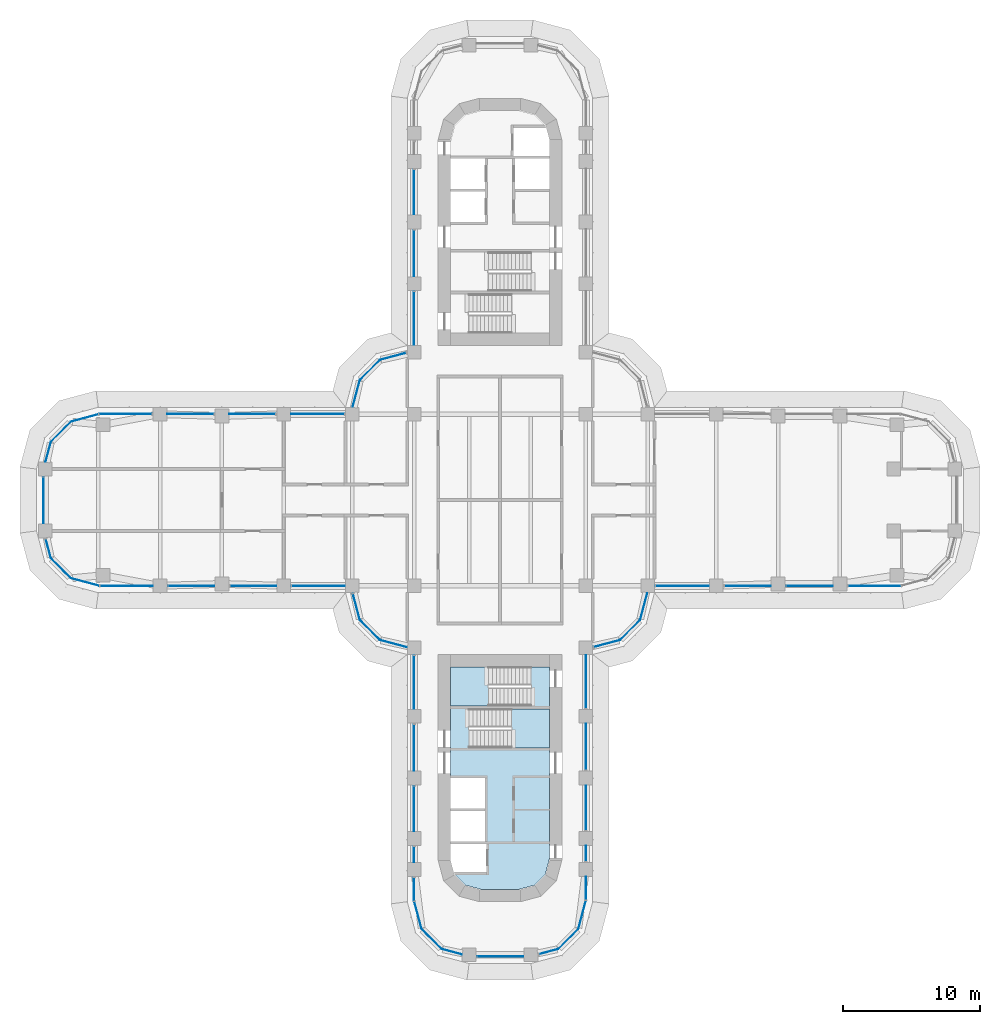
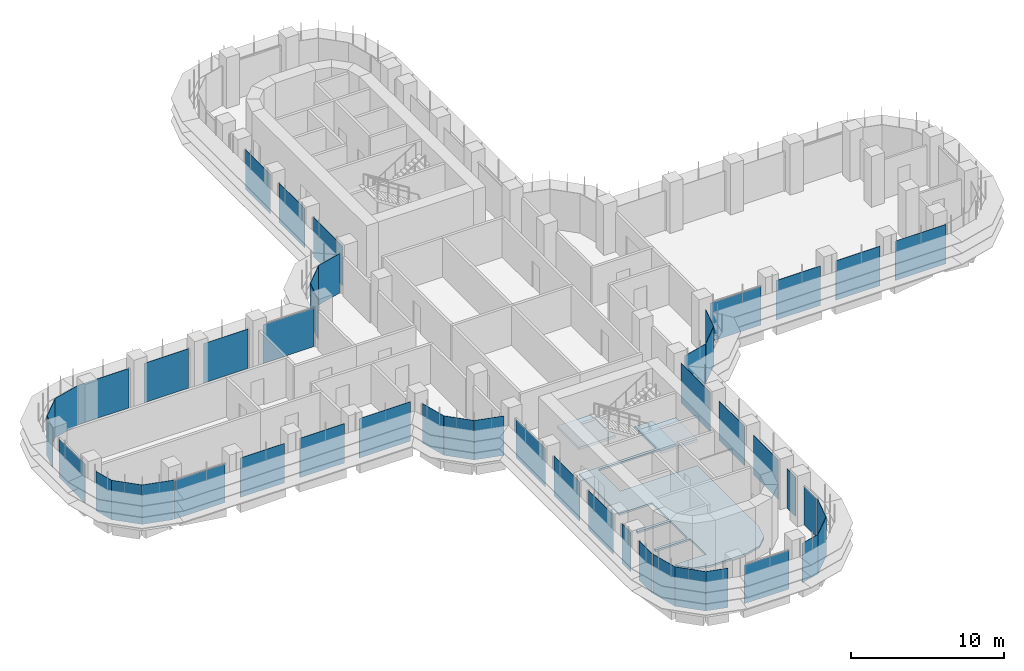
# One storey, part 13 of 23: 48 plates, 3 slabs, 31 elements without a shape of their own.
"""IFC4 building model written with IfcOpenShell, lengths in metres."""

from ifc_helpers import new_model, si_unit, direction, frame, origin, place, context, subcontext, project, spatial, polyline, outline, extrude, source, transform, mapped, material, layer, layer_set, type_object, element, aggregate, save


model = new_model("IFC4")

# Units and contexts
model_context = context("Model", 3, precision=1e-05, world=origin(), true_north=direction((0.0, 1.0)))
body_context = subcontext(model_context, "Body", "Model", "MODEL_VIEW")
ifc_project = project(units=[si_unit("LENGTHUNIT", "METRE"), si_unit("AREAUNIT", "SQUARE_METRE"), si_unit("VOLUMEUNIT", "CUBIC_METRE"), si_unit("PLANEANGLEUNIT", "RADIAN"), si_unit("MASSUNIT", "GRAM", prefix="KILO")], contexts=[model_context])

# Site, building, storey
site_placement = place(None, origin())
site = spatial("IfcSite", under=ifc_project, at=site_placement, CompositionType="ELEMENT")
building_placement = place(site_placement, origin())
building = spatial("IfcBuilding", under=site, at=building_placement, Name="Zarbagh Exchange Tower", CompositionType="ELEMENT")
storey_placement = place(building_placement, frame((0.0, 0.0, 64.800048828125)))
storey = spatial("IfcBuildingStorey", under=building, at=storey_placement, Name="L14", CompositionType="ELEMENT", Elevation=64.800048828125)

# Slab
ifc_material_1 = material(Name="Concrete C40/50", Category="concrete")
ifc_layer_1 = layer(ifc_material_1, 0.14990234375)
ifc_layer_set_1 = layer_set([ifc_layer_1], Name="Core floor slab 150 C40/50")
slab_type_1 = type_object("IfcSlabType", Name="Core floor slab 150 C40/50", PredefinedType="FLOOR", material=ifc_layer_set_1)
slab_1_placement = place(storey_placement, frame((0.0, 0.0, -0.150146484375)))
element("IfcSlab", 1, at=slab_1_placement, inside=storey, type_object=slab_type_1, Name="S17 core S", PredefinedType="FLOOR", context=body_context, shape_type="SweptSolid", body=[
    extrude(outline(polyline([(-2.5341796875, -28.041259765625), (-3.291259765625, -27.2841796875), (-3.340576171875, -27.10009765625), (-1.0, -27.10009765625), (-1.0, -25.050048828125), (-3.60009765625, -25.050048828125), (-3.60009765625, -24.85009765625), (-1.10009765625, -24.85009765625), (-1.10009765625, -22.64990234375), (-3.60009765625, -22.64990234375), (-3.60009765625, -22.449951171875), (-1.10009765625, -22.449951171875), (-1.10009765625, -20.25), (-3.60009765625, -20.25), (-3.60009765625, -15.0), (2.25, -15.0), (2.25, -12.14990234375), (3.60009765625, -12.14990234375), (3.60009765625, -15.199951171875), (-2.25, -15.199951171875), (-2.25, -18.050048828125), (3.60009765625, -18.050048828125), (3.60009765625, -26.131591796875), (3.291259765625, -27.2841796875), (2.5341796875, -28.041259765625), (1.381591796875, -28.35009765625), (-1.381591796875, -28.35009765625), (-2.5341796875, -28.041259765625)])), origin(), (0.0, 0.0, 1.0), 0.150146484375),
])

# Stair, slab
stair_type = type_object("IfcStairType", Name="Exit stair two-flight half-turn", PredefinedType="HALF_TURN_STAIR", material=ifc_material_1)
stair_1_placement = place(storey_placement, origin())
stair_1 = element("IfcStair", 2, at=stair_1_placement, inside=storey, type_object=stair_type, Name="exit stair ST3", PredefinedType="HALF_TURN_STAIR")
ifc_layer_2 = layer(ifc_material_1, 0.199951171875)
ifc_layer_set_2 = layer_set([ifc_layer_2], Name="Stair landing 200 mm")
slab_type_2 = type_object("IfcSlabType", Name="Stair landing 200 mm", PredefinedType="LANDING", material=ifc_layer_set_2)
slab_2_placement = place(storey_placement, frame((0.0, 0.0, 1.89990234375)))
slab_2 = element("IfcSlab", 3, at=slab_2_placement, type_object=slab_type_2, Name="ST3 landing 1", PredefinedType="LANDING", context=body_context, shape_type="SweptSolid", body=[
    extrude(outline(polyline([(0.830078125, -18.050048828125), (3.60009765625, -18.050048828125), (3.60009765625, -15.199951171875), (0.830078125, -15.199951171875), (0.830078125, -18.050048828125)])), origin(), (0.0, 0.0, 1.0), 0.199951171875),
])
aggregate(stair_1, [slab_2])

stair_2_placement = place(storey_placement, origin())
stair_2 = element("IfcStair", 4, at=stair_2_placement, inside=storey, type_object=stair_type, Name="exit stair ST4", PredefinedType="HALF_TURN_STAIR")
slab_3_placement = place(storey_placement, frame((0.0, 0.0, 1.89990234375)))
slab_3 = element("IfcSlab", 5, at=slab_3_placement, type_object=slab_type_2, Name="ST4 landing 1", PredefinedType="LANDING", context=body_context, shape_type="SweptSolid", body=[
    extrude(outline(polyline([(-0.830078125, -12.14990234375), (-3.60009765625, -12.14990234375), (-3.60009765625, -15.0), (-0.830078125, -15.0), (-0.830078125, -12.14990234375)])), origin(), (0.0, 0.0, 1.0), 0.199951171875),
])
aggregate(stair_2, [slab_3])

# Curtain wall, plate
ifc_material_2 = material(Name="Anodised aluminium frame and glazing", Category="aluminium")
curtain_wall_type = type_object("IfcCurtainWallType", Name="CWA Ribbon glazing, lower zones", PredefinedType="NOTDEFINED", material=ifc_material_2)
curtain_wall_1_placement = place(storey_placement, origin())
curtain_wall_1 = element("IfcCurtainWall", 6, at=curtain_wall_1_placement, inside=storey, type_object=curtain_wall_type, Name="CWA01 curtain wall", PredefinedType="NOTDEFINED")
ifc_material_3 = material(Name="Low-e double glazed unit, 6+12+6 mm")
ifc_layer_3 = layer(ifc_material_3, 0.028076171875)
ifc_layer_set_3 = layer_set([ifc_layer_3], Name="PAA Glazing panel, Low-e double glazed unit, 6+12+6 mm")
plate_type = type_object("IfcPlateType", Name="PAA Glazing panel, Low-e double glazed unit, 6+12+6 mm", PredefinedType="CURTAIN_PANEL", material=ifc_layer_set_3)
shared_shape_1 = source(origin(), body_context, "Body", "SweptSolid", [
    extrude(outline(polyline([(0.0, -0.013916015625), (1.4423828125, -0.013916015625), (1.4423828125, 0.013916015625), (0.0, 0.013916015625), (0.0, -0.013916015625)])), origin(), (0.0, 0.0, 1.0), 3.14990234375),
])
placement = place(storey_placement, origin())
plate_1 = element("IfcPlate", 7, at=placement, type_object=plate_type, Name="CWA01 glazing panel 1.1", PredefinedType="CURTAIN_PANEL", context=body_context, shape_type="MappedRepresentation", body=[
    mapped(shared_shape_1, transform((2.847900390625, -33.072021484375, 0.0), x_axis=(0.965924289636, 0.258824779902, 0.0), y_axis=(-0.258824779902, 0.965924289636, 0.0), z_axis=(0.0, 0.0, 1.0))),
])
aggregate(curtain_wall_1, [plate_1])

curtain_wall_2_placement = place(storey_placement, origin())
curtain_wall_2 = element("IfcCurtainWall", 8, at=curtain_wall_2_placement, inside=storey, type_object=curtain_wall_type, Name="CWA37 curtain wall", PredefinedType="NOTDEFINED")
plate_2 = element("IfcPlate", 9, at=placement, type_object=plate_type, Name="CWA37 glazing panel 1.1", PredefinedType="CURTAIN_PANEL", context=body_context, shape_type="MappedRepresentation", body=[
    mapped(shared_shape_1, transform((-33.072021484375, -2.847900390625, 0.0), x_axis=(0.258824779902, -0.965924289636, 0.0), y_axis=(0.965924289636, 0.258824779902, 0.0), z_axis=(0.0, 0.0, 1.0))),
])
aggregate(curtain_wall_2, [plate_2])

curtain_wall_3_placement = place(storey_placement, origin())
curtain_wall_3 = element("IfcCurtainWall", 10, at=curtain_wall_3_placement, inside=storey, type_object=curtain_wall_type, Name="CWA02 curtain wall", PredefinedType="NOTDEFINED")
shared_shape_2 = source(origin(), body_context, "Body", "SweptSolid", [
    extrude(outline(polyline([(0.0, -0.013916015625), (2.061279296875, -0.013916015625), (2.061279296875, 0.013916015625), (0.0, 0.013916015625), (0.0, -0.013916015625)])), origin(), (0.0, 0.0, 1.0), 3.14990234375),
])
plate_3 = element("IfcPlate", 11, at=placement, type_object=plate_type, Name="CWA02 glazing panel 1.1", PredefinedType="CURTAIN_PANEL", context=body_context, shape_type="MappedRepresentation", body=[
    mapped(shared_shape_2, transform((4.2412109375, -32.69873046875, 0.0), x_axis=(0.707106781187, 0.707106781187, 0.0), y_axis=(-0.707106781187, 0.707106781187, 0.0), z_axis=(0.0, 0.0, 1.0))),
])
aggregate(curtain_wall_3, [plate_3])

curtain_wall_4_placement = place(storey_placement, origin())
curtain_wall_4 = element("IfcCurtainWall", 12, at=curtain_wall_4_placement, inside=storey, type_object=curtain_wall_type, Name="CWA06 curtain wall", PredefinedType="NOTDEFINED")
plate_4 = element("IfcPlate", 13, at=placement, type_object=plate_type, Name="CWA06 glazing panel 1.1", PredefinedType="CURTAIN_PANEL", context=body_context, shape_type="MappedRepresentation", body=[
    mapped(shared_shape_2, transform((8.7412109375, -10.19873046875, 0.0), x_axis=(0.707106781187, 0.707106781187, 0.0), y_axis=(-0.707106781187, 0.707106781187, 0.0), z_axis=(0.0, 0.0, 1.0))),
])
aggregate(curtain_wall_4, [plate_4])

curtain_wall_5_placement = place(storey_placement, origin())
curtain_wall_5 = element("IfcCurtainWall", 14, at=curtain_wall_5_placement, inside=storey, type_object=curtain_wall_type, Name="CWA30 curtain wall", PredefinedType="NOTDEFINED")
plate_5 = element("IfcPlate", 15, at=placement, type_object=plate_type, Name="CWA30 glazing panel 1.1", PredefinedType="CURTAIN_PANEL", context=body_context, shape_type="MappedRepresentation", body=[
    mapped(shared_shape_2, transform((-8.7412109375, 10.19873046875, 0.0), x_axis=(-0.707106781187, -0.707106781187, 0.0), y_axis=(0.707106781187, -0.707106781187, 0.0), z_axis=(0.0, 0.0, 1.0))),
])
aggregate(curtain_wall_5, [plate_5])

curtain_wall_6_placement = place(storey_placement, origin())
curtain_wall_6 = element("IfcCurtainWall", 16, at=curtain_wall_6_placement, inside=storey, type_object=curtain_wall_type, Name="CWA34 curtain wall", PredefinedType="NOTDEFINED")
plate_6 = element("IfcPlate", 17, at=placement, type_object=plate_type, Name="CWA34 glazing panel 1.1", PredefinedType="CURTAIN_PANEL", context=body_context, shape_type="MappedRepresentation", body=[
    mapped(shared_shape_2, transform((-31.2412109375, 5.69873046875, 0.0), x_axis=(-0.707106781187, -0.707106781187, 0.0), y_axis=(0.707106781187, -0.707106781187, 0.0), z_axis=(0.0, 0.0, 1.0))),
])
aggregate(curtain_wall_6, [plate_6])

curtain_wall_7_placement = place(storey_placement, origin())
curtain_wall_7 = element("IfcCurtainWall", 18, at=curtain_wall_7_placement, inside=storey, type_object=curtain_wall_type, Name="CWA38 curtain wall", PredefinedType="NOTDEFINED")
plate_7 = element("IfcPlate", 19, at=placement, type_object=plate_type, Name="CWA38 glazing panel 1.1", PredefinedType="CURTAIN_PANEL", context=body_context, shape_type="MappedRepresentation", body=[
    mapped(shared_shape_2, transform((-32.69873046875, -4.2412109375, 0.0), x_axis=(0.707106781187, -0.707106781187, 0.0), y_axis=(0.707106781187, 0.707106781187, 0.0), z_axis=(0.0, 0.0, 1.0))),
])
aggregate(curtain_wall_7, [plate_7])

curtain_wall_8_placement = place(storey_placement, origin())
curtain_wall_8 = element("IfcCurtainWall", 20, at=curtain_wall_8_placement, inside=storey, type_object=curtain_wall_type, Name="CWA42 curtain wall", PredefinedType="NOTDEFINED")
plate_8 = element("IfcPlate", 21, at=placement, type_object=plate_type, Name="CWA42 glazing panel 1.1", PredefinedType="CURTAIN_PANEL", context=body_context, shape_type="MappedRepresentation", body=[
    mapped(shared_shape_2, transform((-10.19873046875, -8.7412109375, 0.0), x_axis=(0.707106781187, -0.707106781187, 0.0), y_axis=(0.707106781187, 0.707106781187, 0.0), z_axis=(0.0, 0.0, 1.0))),
])
aggregate(curtain_wall_8, [plate_8])

curtain_wall_9_placement = place(storey_placement, origin())
curtain_wall_9 = element("IfcCurtainWall", 22, at=curtain_wall_9_placement, inside=storey, type_object=curtain_wall_type, Name="CWA46 curtain wall", PredefinedType="NOTDEFINED")
plate_9 = element("IfcPlate", 23, at=placement, type_object=plate_type, Name="CWA46 glazing panel 1.1", PredefinedType="CURTAIN_PANEL", context=body_context, shape_type="MappedRepresentation", body=[
    mapped(shared_shape_2, transform((-5.69873046875, -31.2412109375, 0.0), x_axis=(0.707106781187, -0.707106781187, 0.0), y_axis=(0.707106781187, 0.707106781187, 0.0), z_axis=(0.0, 0.0, 1.0))),
])
aggregate(curtain_wall_9, [plate_9])

curtain_wall_10_placement = place(storey_placement, origin())
curtain_wall_10 = element("IfcCurtainWall", 24, at=curtain_wall_10_placement, inside=storey, type_object=curtain_wall_type, Name="CWA03 curtain wall", PredefinedType="NOTDEFINED")
shared_shape_3 = source(origin(), body_context, "Body", "SweptSolid", [
    extrude(outline(polyline([(0.0, -0.013916015625), (2.129638671875, -0.013916015625), (2.129638671875, 0.013916015625), (0.0, 0.013916015625), (0.0, -0.013916015625)])), origin(), (0.0, 0.0, 1.0), 3.14990234375),
])
plate_10 = element("IfcPlate", 25, at=placement, type_object=plate_type, Name="CWA03 glazing panel 1.1", PredefinedType="CURTAIN_PANEL", context=body_context, shape_type="MappedRepresentation", body=[
    mapped(shared_shape_3, transform((5.69873046875, -31.2412109375, 0.0), x_axis=(0.258824779902, 0.965924289636, 0.0), y_axis=(-0.965924289636, 0.258824779902, 0.0), z_axis=(0.0, 0.0, 1.0))),
])
aggregate(curtain_wall_10, [plate_10])

curtain_wall_11_placement = place(storey_placement, origin())
curtain_wall_11 = element("IfcCurtainWall", 26, at=curtain_wall_11_placement, inside=storey, type_object=curtain_wall_type, Name="CWA39 curtain wall", PredefinedType="NOTDEFINED")
plate_11 = element("IfcPlate", 27, at=placement, type_object=plate_type, Name="CWA39 glazing panel 1.1", PredefinedType="CURTAIN_PANEL", context=body_context, shape_type="MappedRepresentation", body=[
    mapped(shared_shape_3, transform((-31.2412109375, -5.69873046875, 0.0), x_axis=(0.965924289636, -0.258824779902, 0.0), y_axis=(0.258824779902, 0.965924289636, 0.0), z_axis=(0.0, 0.0, 1.0))),
])
aggregate(curtain_wall_11, [plate_11])

# Curtain wall, plates
curtain_wall_12_placement = place(storey_placement, origin())
curtain_wall_12 = element("IfcCurtainWall", 28, at=curtain_wall_12_placement, inside=storey, type_object=curtain_wall_type, Name="CWA04 curtain wall", PredefinedType="NOTDEFINED")
shared_shape_4 = source(origin(), body_context, "Body", "SweptSolid", [
    extrude(outline(polyline([(0.0, -0.013916015625), (1.68408203125, -0.013916015625), (1.68408203125, 0.013916015625), (0.0, 0.013916015625), (0.0, -0.013916015625)])), origin(), (0.0, 0.0, 1.0), 3.090087890625),
])
plate_12 = element("IfcPlate", 29, at=placement, type_object=plate_type, Name="CWA04 glazing panel 1.1", PredefinedType="CURTAIN_PANEL", context=body_context, shape_type="MappedRepresentation", body=[
    mapped(shared_shape_4, transform((6.25, -29.124267578125, 0.0), x_axis=(0.0, 1.0, 0.0), y_axis=(-1.0, 0.0, 0.0), z_axis=(0.0, 0.0, 1.0))),
])
shared_shape_5 = source(origin(), body_context, "Body", "SweptSolid", [
    extrude(outline(polyline([(0.0, -0.013916015625), (1.110107421875, -0.013916015625), (1.110107421875, 0.013916015625), (0.0, 0.013916015625), (0.0, -0.013916015625)])), origin(), (0.0, 0.0, 1.0), 3.14990234375),
])
plate_13 = element("IfcPlate", 30, at=placement, type_object=plate_type, Name="CWA04 glazing panel 2.1", PredefinedType="CURTAIN_PANEL", context=body_context, shape_type="MappedRepresentation", body=[
    mapped(shared_shape_5, transform((6.25, -26.300048828125, 0.0), x_axis=(0.0, 1.0, 0.0), y_axis=(-1.0, 0.0, 0.0), z_axis=(0.0, 0.0, 1.0))),
])

# Curtain wall, plate
curtain_wall_13_placement = place(storey_placement, origin())
curtain_wall_13 = element("IfcCurtainWall", 31, at=curtain_wall_13_placement, inside=storey, type_object=curtain_wall_type, Name="CWA44 curtain wall", PredefinedType="NOTDEFINED")
plate_14 = element("IfcPlate", 32, at=placement, type_object=plate_type, Name="CWA44 glazing panel 4.1", PredefinedType="CURTAIN_PANEL", context=body_context, shape_type="MappedRepresentation", body=[
    mapped(shared_shape_5, transform((-6.25, -25.25, 0.0), x_axis=(0.0, -1.0, 0.0), y_axis=(1.0, 0.0, 0.0), z_axis=(0.0, 0.0, 1.0))),
])

# Plate
shared_shape_6 = source(origin(), body_context, "Body", "SweptSolid", [
    extrude(outline(polyline([(0.0, -0.013916015625), (3.260009765625, -0.013916015625), (3.260009765625, 0.013916015625), (0.0, 0.013916015625), (0.0, -0.013916015625)])), origin(), (0.0, 0.0, 1.0), 3.14990234375),
])
plate_15 = element("IfcPlate", 33, at=placement, type_object=plate_type, Name="CWA04 glazing panel 3.1", PredefinedType="CURTAIN_PANEL", context=body_context, shape_type="MappedRepresentation", body=[
    mapped(shared_shape_6, transform((6.25, -24.050048828125, 0.0), x_axis=(0.0, 1.0, 0.0), y_axis=(-1.0, 0.0, 0.0), z_axis=(0.0, 0.0, 1.0))),
])

# Curtain wall, plate
curtain_wall_14_placement = place(storey_placement, origin())
curtain_wall_14 = element("IfcCurtainWall", 34, at=curtain_wall_14_placement, inside=storey, type_object=curtain_wall_type, Name="CWA28 curtain wall", PredefinedType="NOTDEFINED")
plate_16 = element("IfcPlate", 35, at=placement, type_object=plate_type, Name="CWA28 glazing panel 3.1", PredefinedType="CURTAIN_PANEL", context=body_context, shape_type="MappedRepresentation", body=[
    mapped(shared_shape_6, transform((-6.25, 24.050048828125, 0.0), x_axis=(0.0, -1.0, 0.0), y_axis=(1.0, 0.0, 0.0), z_axis=(0.0, 0.0, 1.0))),
])

# Plate
plate_17 = element("IfcPlate", 36, at=placement, type_object=plate_type, Name="CWA44 glazing panel 3.1", PredefinedType="CURTAIN_PANEL", context=body_context, shape_type="MappedRepresentation", body=[
    mapped(shared_shape_6, transform((-6.25, -20.85009765625, 0.0), x_axis=(0.0, -1.0, 0.0), y_axis=(1.0, 0.0, 0.0), z_axis=(0.0, 0.0, 1.0))),
])

shared_shape_7 = source(origin(), body_context, "Body", "SweptSolid", [
    extrude(outline(polyline([(0.0, -0.013916015625), (3.360107421875, -0.013916015625), (3.360107421875, 0.013916015625), (0.0, 0.013916015625), (0.0, -0.013916015625)])), origin(), (0.0, 0.0, 1.0), 3.14990234375),
])
plate_18 = element("IfcPlate", 37, at=placement, type_object=plate_type, Name="CWA04 glazing panel 4.1", PredefinedType="CURTAIN_PANEL", context=body_context, shape_type="MappedRepresentation", body=[
    mapped(shared_shape_7, transform((6.25, -19.64990234375, 0.0), x_axis=(0.0, 1.0, 0.0), y_axis=(-1.0, 0.0, 0.0), z_axis=(0.0, 0.0, 1.0))),
])

# Curtain wall, plates
curtain_wall_15_placement = place(storey_placement, origin())
curtain_wall_15 = element("IfcCurtainWall", 38, at=curtain_wall_15_placement, inside=storey, type_object=curtain_wall_type, Name="CWA08 curtain wall", PredefinedType="NOTDEFINED")
plate_19 = element("IfcPlate", 39, at=placement, type_object=plate_type, Name="CWA08 glazing panel 2.1", PredefinedType="CURTAIN_PANEL", context=body_context, shape_type="MappedRepresentation", body=[
    mapped(shared_shape_7, transform((16.35009765625, -6.25, 0.0), x_axis=(1.0, 0.0, 0.0), y_axis=(0.0, 1.0, 0.0), z_axis=(0.0, 0.0, 1.0))),
])
plate_20 = element("IfcPlate", 40, at=placement, type_object=plate_type, Name="CWA08 glazing panel 3.1", PredefinedType="CURTAIN_PANEL", context=body_context, shape_type="MappedRepresentation", body=[
    mapped(shared_shape_7, transform((20.85009765625, -6.25, 0.0), x_axis=(1.0, 0.0, 0.0), y_axis=(0.0, 1.0, 0.0), z_axis=(0.0, 0.0, 1.0))),
])

# Plate
plate_21 = element("IfcPlate", 41, at=placement, type_object=plate_type, Name="CWA28 glazing panel 4.1", PredefinedType="CURTAIN_PANEL", context=body_context, shape_type="MappedRepresentation", body=[
    mapped(shared_shape_7, transform((-6.25, 19.64990234375, 0.0), x_axis=(0.0, -1.0, 0.0), y_axis=(1.0, 0.0, 0.0), z_axis=(0.0, 0.0, 1.0))),
])

# Curtain wall, plates
curtain_wall_16_placement = place(storey_placement, origin())
curtain_wall_16 = element("IfcCurtainWall", 42, at=curtain_wall_16_placement, inside=storey, type_object=curtain_wall_type, Name="CWA32 curtain wall", PredefinedType="NOTDEFINED")
plate_22 = element("IfcPlate", 43, at=placement, type_object=plate_type, Name="CWA32 glazing panel 2.1", PredefinedType="CURTAIN_PANEL", context=body_context, shape_type="MappedRepresentation", body=[
    mapped(shared_shape_7, transform((-16.35009765625, 6.25, 0.0), x_axis=(-1.0, 0.0, 0.0), y_axis=(0.0, -1.0, 0.0), z_axis=(0.0, 0.0, 1.0))),
])
plate_23 = element("IfcPlate", 44, at=placement, type_object=plate_type, Name="CWA32 glazing panel 3.1", PredefinedType="CURTAIN_PANEL", context=body_context, shape_type="MappedRepresentation", body=[
    mapped(shared_shape_7, transform((-20.85009765625, 6.25, 0.0), x_axis=(-1.0, 0.0, 0.0), y_axis=(0.0, -1.0, 0.0), z_axis=(0.0, 0.0, 1.0))),
])

curtain_wall_17_placement = place(storey_placement, origin())
curtain_wall_17 = element("IfcCurtainWall", 45, at=curtain_wall_17_placement, inside=storey, type_object=curtain_wall_type, Name="CWA40 curtain wall", PredefinedType="NOTDEFINED")
plate_24 = element("IfcPlate", 46, at=placement, type_object=plate_type, Name="CWA40 glazing panel 2.1", PredefinedType="CURTAIN_PANEL", context=body_context, shape_type="MappedRepresentation", body=[
    mapped(shared_shape_7, transform((-24.14990234375, -6.25, 0.0), x_axis=(1.0, 0.0, 0.0), y_axis=(0.0, 1.0, 0.0), z_axis=(0.0, 0.0, 1.0))),
])
plate_25 = element("IfcPlate", 47, at=placement, type_object=plate_type, Name="CWA40 glazing panel 3.1", PredefinedType="CURTAIN_PANEL", context=body_context, shape_type="MappedRepresentation", body=[
    mapped(shared_shape_7, transform((-19.64990234375, -6.25, 0.0), x_axis=(1.0, 0.0, 0.0), y_axis=(0.0, 1.0, 0.0), z_axis=(0.0, 0.0, 1.0))),
])

# Plate
plate_26 = element("IfcPlate", 48, at=placement, type_object=plate_type, Name="CWA44 glazing panel 2.1", PredefinedType="CURTAIN_PANEL", context=body_context, shape_type="MappedRepresentation", body=[
    mapped(shared_shape_7, transform((-6.25, -16.35009765625, 0.0), x_axis=(0.0, -1.0, 0.0), y_axis=(1.0, 0.0, 0.0), z_axis=(0.0, 0.0, 1.0))),
])

# Curtain wall, plate
curtain_wall_18_placement = place(storey_placement, origin())
curtain_wall_18 = element("IfcCurtainWall", 49, at=curtain_wall_18_placement, inside=storey, type_object=curtain_wall_type, Name="CWA05 curtain wall", PredefinedType="NOTDEFINED")
shared_shape_8 = source(origin(), body_context, "Body", "SweptSolid", [
    extrude(outline(polyline([(0.0, -0.013916015625), (1.9599609375, -0.013916015625), (1.9599609375, 0.013916015625), (0.0, 0.013916015625), (0.0, -0.013916015625)])), origin(), (0.0, 0.0, 1.0), 3.14990234375),
])
plate_27 = element("IfcPlate", 50, at=placement, type_object=plate_type, Name="CWA05 glazing panel 1.1", PredefinedType="CURTAIN_PANEL", context=body_context, shape_type="MappedRepresentation", body=[
    mapped(shared_shape_8, transform((6.847900390625, -10.7060546875, 0.0), x_axis=(0.965924289636, 0.258824779902, 0.0), y_axis=(-0.258824779902, 0.965924289636, 0.0), z_axis=(0.0, 0.0, 1.0))),
])
aggregate(curtain_wall_18, [plate_27])

curtain_wall_19_placement = place(storey_placement, origin())
curtain_wall_19 = element("IfcCurtainWall", 51, at=curtain_wall_19_placement, inside=storey, type_object=curtain_wall_type, Name="CWA29 curtain wall", PredefinedType="NOTDEFINED")
plate_28 = element("IfcPlate", 52, at=placement, type_object=plate_type, Name="CWA29 glazing panel 1.1", PredefinedType="CURTAIN_PANEL", context=body_context, shape_type="MappedRepresentation", body=[
    mapped(shared_shape_8, transform((-6.847900390625, 10.7060546875, 0.0), x_axis=(-0.965924289636, -0.258824779902, 0.0), y_axis=(0.258824779902, -0.965924289636, 0.0), z_axis=(0.0, 0.0, 1.0))),
])
aggregate(curtain_wall_19, [plate_28])

curtain_wall_20_placement = place(storey_placement, origin())
curtain_wall_20 = element("IfcCurtainWall", 53, at=curtain_wall_20_placement, inside=storey, type_object=curtain_wall_type, Name="CWA41 curtain wall", PredefinedType="NOTDEFINED")
plate_29 = element("IfcPlate", 54, at=placement, type_object=plate_type, Name="CWA41 glazing panel 1.1", PredefinedType="CURTAIN_PANEL", context=body_context, shape_type="MappedRepresentation", body=[
    mapped(shared_shape_8, transform((-10.7060546875, -6.847900390625, 0.0), x_axis=(0.258824779902, -0.965924289636, 0.0), y_axis=(0.965924289636, 0.258824779902, 0.0), z_axis=(0.0, 0.0, 1.0))),
])
aggregate(curtain_wall_20, [plate_29])

curtain_wall_21_placement = place(storey_placement, origin())
curtain_wall_21 = element("IfcCurtainWall", 55, at=curtain_wall_21_placement, inside=storey, type_object=curtain_wall_type, Name="CWA07 curtain wall", PredefinedType="NOTDEFINED")
shared_shape_9 = source(origin(), body_context, "Body", "SweptSolid", [
    extrude(outline(polyline([(0.0, -0.013916015625), (2.02001953125, -0.013916015625), (2.02001953125, 0.013916015625), (0.0, 0.013916015625), (0.0, -0.013916015625)])), origin(), (0.0, 0.0, 1.0), 3.14990234375),
])
plate_30 = element("IfcPlate", 56, at=placement, type_object=plate_type, Name="CWA07 glazing panel 1.1", PredefinedType="CURTAIN_PANEL", context=body_context, shape_type="MappedRepresentation", body=[
    mapped(shared_shape_9, transform((10.19873046875, -8.7412109375, 0.0), x_axis=(0.258824779902, 0.965924289636, 0.0), y_axis=(-0.965924289636, 0.258824779902, 0.0), z_axis=(0.0, 0.0, 1.0))),
])
aggregate(curtain_wall_21, [plate_30])

curtain_wall_22_placement = place(storey_placement, origin())
curtain_wall_22 = element("IfcCurtainWall", 57, at=curtain_wall_22_placement, inside=storey, type_object=curtain_wall_type, Name="CWA31 curtain wall", PredefinedType="NOTDEFINED")
plate_31 = element("IfcPlate", 58, at=placement, type_object=plate_type, Name="CWA31 glazing panel 1.1", PredefinedType="CURTAIN_PANEL", context=body_context, shape_type="MappedRepresentation", body=[
    mapped(shared_shape_9, transform((-10.19873046875, 8.7412109375, 0.0), x_axis=(-0.258824779902, -0.965924289636, 0.0), y_axis=(0.965924289636, -0.258824779902, 0.0), z_axis=(0.0, 0.0, 1.0))),
])
aggregate(curtain_wall_22, [plate_31])

curtain_wall_23_placement = place(storey_placement, origin())
curtain_wall_23 = element("IfcCurtainWall", 59, at=curtain_wall_23_placement, inside=storey, type_object=curtain_wall_type, Name="CWA43 curtain wall", PredefinedType="NOTDEFINED")
plate_32 = element("IfcPlate", 60, at=placement, type_object=plate_type, Name="CWA43 glazing panel 1.1", PredefinedType="CURTAIN_PANEL", context=body_context, shape_type="MappedRepresentation", body=[
    mapped(shared_shape_9, transform((-8.7412109375, -10.19873046875, 0.0), x_axis=(0.965924289636, -0.258824779902, 0.0), y_axis=(0.258824779902, 0.965924289636, 0.0), z_axis=(0.0, 0.0, 1.0))),
])
aggregate(curtain_wall_23, [plate_32])

# Plate
shared_shape_10 = source(origin(), body_context, "Body", "SweptSolid", [
    extrude(outline(polyline([(0.0, -0.013916015625), (3.860107421875, -0.013916015625), (3.860107421875, 0.013916015625), (0.0, 0.013916015625), (0.0, -0.013916015625)])), origin(), (0.0, 0.0, 1.0), 3.090087890625),
])
plate_33 = element("IfcPlate", 61, at=placement, type_object=plate_type, Name="CWA08 glazing panel 1.1", PredefinedType="CURTAIN_PANEL", context=body_context, shape_type="MappedRepresentation", body=[
    mapped(shared_shape_10, transform((11.35009765625, -6.25, 0.0), x_axis=(1.0, 0.0, 0.0), y_axis=(0.0, 1.0, 0.0), z_axis=(0.0, 0.0, 1.0))),
])

plate_34 = element("IfcPlate", 62, at=placement, type_object=plate_type, Name="CWA32 glazing panel 1.1", PredefinedType="CURTAIN_PANEL", context=body_context, shape_type="MappedRepresentation", body=[
    mapped(shared_shape_10, transform((-11.35009765625, 6.25, 0.0), x_axis=(-1.0, 0.0, 0.0), y_axis=(0.0, -1.0, 0.0), z_axis=(0.0, 0.0, 1.0))),
])

plate_35 = element("IfcPlate", 63, at=placement, type_object=plate_type, Name="CWA44 glazing panel 1.1", PredefinedType="CURTAIN_PANEL", context=body_context, shape_type="MappedRepresentation", body=[
    mapped(shared_shape_10, transform((-6.25, -11.35009765625, 0.0), x_axis=(0.0, -1.0, 0.0), y_axis=(1.0, 0.0, 0.0), z_axis=(0.0, 0.0, 1.0))),
])

shared_shape_11 = source(origin(), body_context, "Body", "SweptSolid", [
    extrude(outline(polyline([(0.0, -0.013916015625), (3.833984375, -0.013916015625), (3.833984375, 0.013916015625), (0.0, 0.013916015625), (0.0, -0.013916015625)])), origin(), (0.0, 0.0, 1.0), 3.14990234375),
])
plate_36 = element("IfcPlate", 64, at=placement, type_object=plate_type, Name="CWA08 glazing panel 4.1", PredefinedType="CURTAIN_PANEL", context=body_context, shape_type="MappedRepresentation", body=[
    mapped(shared_shape_11, transform((25.35009765625, -6.25, 0.0), x_axis=(1.0, 0.0, 0.0), y_axis=(0.0, 1.0, 0.0), z_axis=(0.0, 0.0, 1.0))),
])

aggregate(curtain_wall_15, [plate_33, plate_19, plate_20, plate_36])

plate_37 = element("IfcPlate", 65, at=placement, type_object=plate_type, Name="CWA32 glazing panel 4.1", PredefinedType="CURTAIN_PANEL", context=body_context, shape_type="MappedRepresentation", body=[
    mapped(shared_shape_11, transform((-25.35009765625, 6.25, 0.0), x_axis=(-1.0, 0.0, 0.0), y_axis=(0.0, -1.0, 0.0), z_axis=(0.0, 0.0, 1.0))),
])

aggregate(curtain_wall_16, [plate_34, plate_22, plate_23, plate_37])

# Curtain wall, plate
curtain_wall_24_placement = place(storey_placement, origin())
curtain_wall_24 = element("IfcCurtainWall", 66, at=curtain_wall_24_placement, inside=storey, type_object=curtain_wall_type, Name="CWA33 curtain wall", PredefinedType="NOTDEFINED")
shared_shape_12 = source(origin(), body_context, "Body", "SweptSolid", [
    extrude(outline(polyline([(0.0, -0.013916015625), (2.069580078125, -0.013916015625), (2.069580078125, 0.013916015625), (0.0, 0.013916015625), (0.0, -0.013916015625)])), origin(), (0.0, 0.0, 1.0), 3.14990234375),
])
plate_38 = element("IfcPlate", 67, at=placement, type_object=plate_type, Name="CWA33 glazing panel 1.1", PredefinedType="CURTAIN_PANEL", context=body_context, shape_type="MappedRepresentation", body=[
    mapped(shared_shape_12, transform((-29.2421875, 6.234375, 0.0), x_axis=(-0.965924289636, -0.258824779902, 0.0), y_axis=(0.258824779902, -0.965924289636, 0.0), z_axis=(0.0, 0.0, 1.0))),
])
aggregate(curtain_wall_24, [plate_38])

curtain_wall_25_placement = place(storey_placement, origin())
curtain_wall_25 = element("IfcCurtainWall", 68, at=curtain_wall_25_placement, inside=storey, type_object=curtain_wall_type, Name="CWA45 curtain wall", PredefinedType="NOTDEFINED")
plate_39 = element("IfcPlate", 69, at=placement, type_object=plate_type, Name="CWA45 glazing panel 1.1", PredefinedType="CURTAIN_PANEL", context=body_context, shape_type="MappedRepresentation", body=[
    mapped(shared_shape_12, transform((-6.234375, -29.2421875, 0.0), x_axis=(0.258824779902, -0.965924289636, 0.0), y_axis=(0.965924289636, 0.258824779902, 0.0), z_axis=(0.0, 0.0, 1.0))),
])
aggregate(curtain_wall_25, [plate_39])

curtain_wall_26_placement = place(storey_placement, origin())
curtain_wall_26 = element("IfcCurtainWall", 70, at=curtain_wall_26_placement, inside=storey, type_object=curtain_wall_type, Name="CWA35 curtain wall", PredefinedType="NOTDEFINED")
shared_shape_13 = source(origin(), body_context, "Body", "SweptSolid", [
    extrude(outline(polyline([(0.0, -0.013916015625), (1.50244140625, -0.013916015625), (1.50244140625, 0.013916015625), (0.0, 0.013916015625), (0.0, -0.013916015625)])), origin(), (0.0, 0.0, 1.0), 3.14990234375),
])
plate_40 = element("IfcPlate", 71, at=placement, type_object=plate_type, Name="CWA35 glazing panel 1.1", PredefinedType="CURTAIN_PANEL", context=body_context, shape_type="MappedRepresentation", body=[
    mapped(shared_shape_13, transform((-32.69873046875, 4.2412109375, 0.0), x_axis=(-0.258824779902, -0.965924289636, 0.0), y_axis=(0.965924289636, -0.258824779902, 0.0), z_axis=(0.0, 0.0, 1.0))),
])
aggregate(curtain_wall_26, [plate_40])

curtain_wall_27_placement = place(storey_placement, origin())
curtain_wall_27 = element("IfcCurtainWall", 72, at=curtain_wall_27_placement, inside=storey, type_object=curtain_wall_type, Name="CWA47 curtain wall", PredefinedType="NOTDEFINED")
plate_41 = element("IfcPlate", 73, at=placement, type_object=plate_type, Name="CWA47 glazing panel 1.1", PredefinedType="CURTAIN_PANEL", context=body_context, shape_type="MappedRepresentation", body=[
    mapped(shared_shape_13, transform((-4.2412109375, -32.69873046875, 0.0), x_axis=(0.965924289636, -0.258824779902, 0.0), y_axis=(0.258824779902, 0.965924289636, 0.0), z_axis=(0.0, 0.0, 1.0))),
])
aggregate(curtain_wall_27, [plate_41])

curtain_wall_28_placement = place(storey_placement, origin())
curtain_wall_28 = element("IfcCurtainWall", 74, at=curtain_wall_28_placement, inside=storey, type_object=curtain_wall_type, Name="CWA36 curtain wall", PredefinedType="NOTDEFINED")
shared_shape_14 = source(origin(), body_context, "Body", "SweptSolid", [
    extrude(outline(polyline([(0.0, -0.013916015625), (3.360107421875, -0.013916015625), (3.360107421875, 0.013916015625), (0.0, 0.013916015625), (0.0, -0.013916015625)])), origin(), (0.0, 0.0, 1.0), 3.090087890625),
])
plate_42 = element("IfcPlate", 75, at=placement, type_object=plate_type, Name="CWA36 glazing panel 1.1", PredefinedType="CURTAIN_PANEL", context=body_context, shape_type="MappedRepresentation", body=[
    mapped(shared_shape_14, transform((-33.25, 1.64990234375, 0.0), x_axis=(0.0, -1.0, 0.0), y_axis=(1.0, 0.0, 0.0), z_axis=(0.0, 0.0, 1.0))),
])
aggregate(curtain_wall_28, [plate_42])

curtain_wall_29_placement = place(storey_placement, origin())
curtain_wall_29 = element("IfcCurtainWall", 76, at=curtain_wall_29_placement, inside=storey, type_object=curtain_wall_type, Name="CWA48 curtain wall", PredefinedType="NOTDEFINED")
plate_43 = element("IfcPlate", 77, at=placement, type_object=plate_type, Name="CWA48 glazing panel 1.1", PredefinedType="CURTAIN_PANEL", context=body_context, shape_type="MappedRepresentation", body=[
    mapped(shared_shape_14, transform((-1.64990234375, -33.25, 0.0), x_axis=(1.0, 0.0, 0.0), y_axis=(0.0, 1.0, 0.0), z_axis=(0.0, 0.0, 1.0))),
])
aggregate(curtain_wall_29, [plate_43])

# Plate
shared_shape_15 = source(origin(), body_context, "Body", "SweptSolid", [
    extrude(outline(polyline([(0.0, -0.013916015625), (3.834228515625, -0.013916015625), (3.834228515625, 0.013916015625), (0.0, 0.013916015625), (0.0, -0.013916015625)])), origin(), (0.0, 0.0, 1.0), 3.090087890625),
])
plate_44 = element("IfcPlate", 78, at=placement, type_object=plate_type, Name="CWA40 glazing panel 1.1", PredefinedType="CURTAIN_PANEL", context=body_context, shape_type="MappedRepresentation", body=[
    mapped(shared_shape_15, transform((-29.124267578125, -6.25, 0.0), x_axis=(1.0, 0.0, 0.0), y_axis=(0.0, 1.0, 0.0), z_axis=(0.0, 0.0, 1.0))),
])

shared_shape_16 = source(origin(), body_context, "Body", "SweptSolid", [
    extrude(outline(polyline([(0.0, -0.013916015625), (3.860107421875, -0.013916015625), (3.860107421875, 0.013916015625), (0.0, 0.013916015625), (0.0, -0.013916015625)])), origin(), (0.0, 0.0, 1.0), 3.14990234375),
])
plate_45 = element("IfcPlate", 79, at=placement, type_object=plate_type, Name="CWA04 glazing panel 5.1", PredefinedType="CURTAIN_PANEL", context=body_context, shape_type="MappedRepresentation", body=[
    mapped(shared_shape_16, transform((6.25, -15.14990234375, 0.0), x_axis=(0.0, 1.0, 0.0), y_axis=(-1.0, 0.0, 0.0), z_axis=(0.0, 0.0, 1.0))),
])

aggregate(curtain_wall_12, [plate_12, plate_13, plate_15, plate_18, plate_45])

plate_46 = element("IfcPlate", 80, at=placement, type_object=plate_type, Name="CWA28 glazing panel 5.1", PredefinedType="CURTAIN_PANEL", context=body_context, shape_type="MappedRepresentation", body=[
    mapped(shared_shape_16, transform((-6.25, 15.14990234375, 0.0), x_axis=(0.0, -1.0, 0.0), y_axis=(1.0, 0.0, 0.0), z_axis=(0.0, 0.0, 1.0))),
])

aggregate(curtain_wall_14, [plate_16, plate_21, plate_46])

plate_47 = element("IfcPlate", 81, at=placement, type_object=plate_type, Name="CWA40 glazing panel 4.1", PredefinedType="CURTAIN_PANEL", context=body_context, shape_type="MappedRepresentation", body=[
    mapped(shared_shape_16, transform((-15.14990234375, -6.25, 0.0), x_axis=(1.0, 0.0, 0.0), y_axis=(0.0, 1.0, 0.0), z_axis=(0.0, 0.0, 1.0))),
])

aggregate(curtain_wall_17, [plate_44, plate_24, plate_25, plate_47])

shared_shape_17 = source(origin(), body_context, "Body", "SweptSolid", [
    extrude(outline(polyline([(0.0, -0.013916015625), (1.68408203125, -0.013916015625), (1.68408203125, 0.013916015625), (0.0, 0.013916015625), (0.0, -0.013916015625)])), origin(), (0.0, 0.0, 1.0), 3.14990234375),
])
plate_48 = element("IfcPlate", 82, at=placement, type_object=plate_type, Name="CWA44 glazing panel 5.1", PredefinedType="CURTAIN_PANEL", context=body_context, shape_type="MappedRepresentation", body=[
    mapped(shared_shape_17, transform((-6.25, -27.5, 0.0), x_axis=(0.0, -1.0, 0.0), y_axis=(1.0, 0.0, 0.0), z_axis=(0.0, 0.0, 1.0))),
])

aggregate(curtain_wall_13, [plate_35, plate_26, plate_17, plate_14, plate_48])

save(model, "model.ifc")
